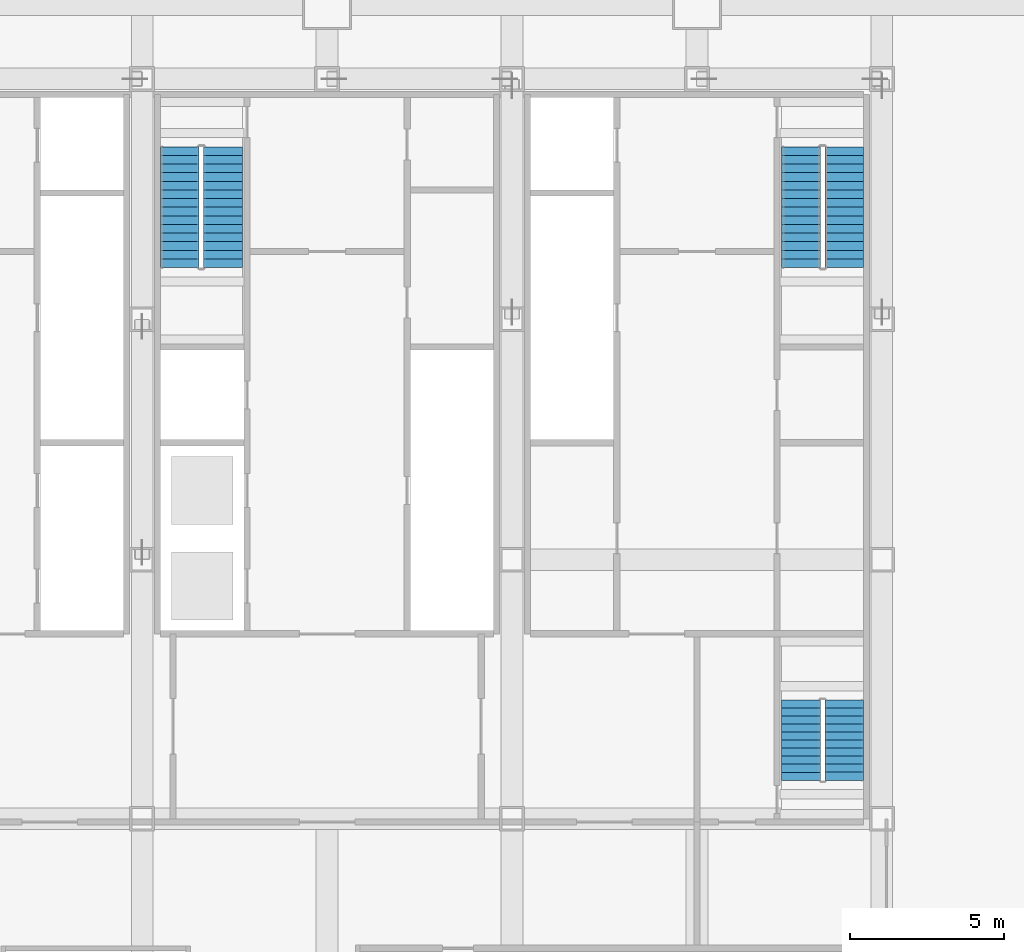
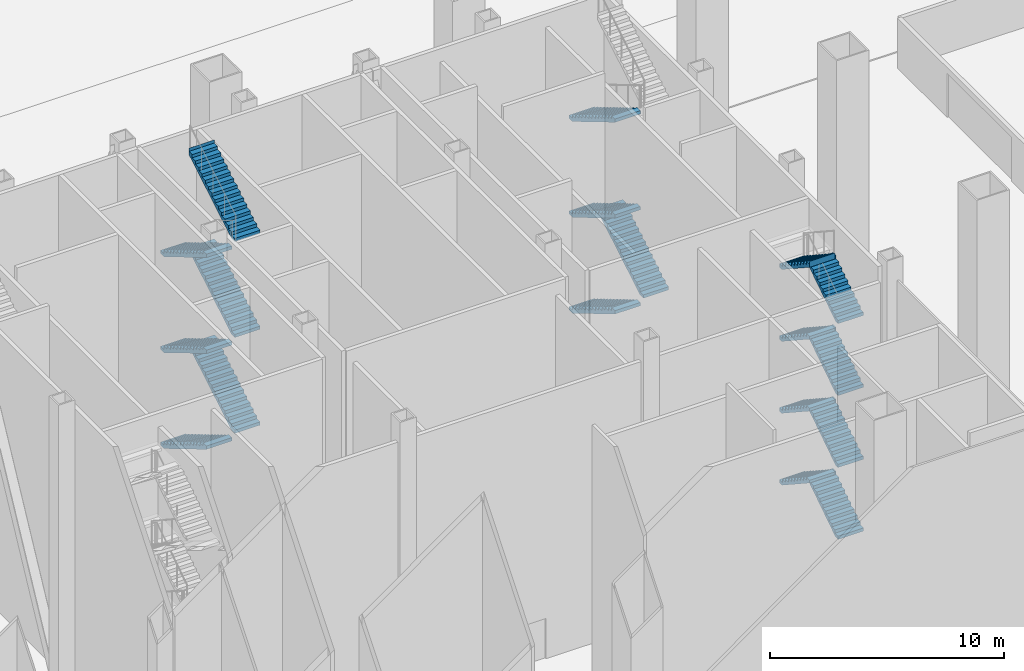
# One storey, part 11 of 22: 18 stair flights, 3 elements without a shape of their own.
"""IFC4 building model written with IfcOpenShell, lengths in metres."""

import ifcopenshell
import ifcopenshell.guid

model = None  # the IFC model being written
_history = None  # IfcOwnerHistory: only IFC2X3 demands one
_inside = {}  # id of a spatial element -> (the spatial element, [elements in it])
_under = {}  # id of a project, library or spatial element -> (it, [spatial elements below it])
_declared = {}  # id of a project -> (the project, [libraries it declares])
_typed = {}  # id of a type object -> (the type object, [elements of that type])
_made_of = {}  # id of a material, layer set ... -> (it, [elements and type objects made of it])


def new_model(schema):
    """Start an empty IFC model of exactly this schema.

    Asked for "IFC4X3", IfcOpenShell would pick the latest addendum, in which some entities
    have other attributes; the version numbers below select the first issue.
    IFC2X3 requires an IfcOwnerHistory on every rooted entity: one is made here for all.
    """
    global model, _history
    if schema == "IFC4X3":
        model = ifcopenshell.file(schema_version=(4, 3, 0, 0))
    else:
        model = ifcopenshell.file(schema=schema)
    _inside.clear()
    _under.clear()
    _declared.clear()
    _typed.clear()
    _made_of.clear()
    _history = None
    if model.schema == "IFC2X3":
        org = make("IfcOrganization", Name="unknown")
        user = make(
            "IfcPersonAndOrganization",
            ThePerson=make("IfcPerson", FamilyName="unknown"),
            TheOrganization=org,
        )
        app = make(
            "IfcApplication",
            ApplicationDeveloper=org,
            Version="unknown",
            ApplicationFullName="unknown",
            ApplicationIdentifier="unknown",
        )
        _history = make(
            "IfcOwnerHistory",
            OwningUser=user,
            OwningApplication=app,
            ChangeAction="ADDED",
            CreationDate=0,
        )
    return model


def make(cls, **values):
    """One entity of the class cls with the attributes given. An attribute that is None is left unset."""
    return model.create_entity(
        cls, **{name: value for name, value in values.items() if value is not None}
    )


def rooted(cls, **values):
    """An entity with a GlobalId (a new one), such as an element, a storey or a relation."""
    return make(cls, GlobalId=ifcopenshell.guid.new(), OwnerHistory=_history, **values)


def si_unit(unit_type, name, prefix=None):
    """IfcSIUnit, for example si_unit("LENGTHUNIT", "METRE", prefix="MILLI")."""
    return make("IfcSIUnit", UnitType=unit_type, Prefix=prefix, Name=name)


def assignment(units):
    """IfcUnitAssignment: the units of a project."""
    return None if units is None else make("IfcUnitAssignment", Units=units)


def point(xyz):
    """IfcCartesianPoint."""
    return None if xyz is None else make("IfcCartesianPoint", Coordinates=xyz)


def direction(xyz):
    """IfcDirection."""
    return None if xyz is None else make("IfcDirection", DirectionRatios=xyz)


def frame(location, z_axis=None, x_axis=None):
    """IfcAxis2Placement3D, a coordinate frame: its origin and axes. An axis left out is left unset."""
    return make(
        "IfcAxis2Placement3D",
        Location=point(location),
        Axis=direction(z_axis),
        RefDirection=direction(x_axis),
    )


def origin():
    """The frame at (0, 0, 0) with its axes left unset."""
    return frame((0.0, 0.0, 0.0))


def place(relative_to, where):
    """IfcLocalPlacement: puts the frame where relative to a parent placement (None: the world)."""
    return make(
        "IfcLocalPlacement", PlacementRelTo=relative_to, RelativePlacement=where
    )


def context(
    kind, dimensions, precision=None, world=None, true_north=None, identifier=None
):
    """IfcGeometricRepresentationContext, for example the 3D "Model" context."""
    return make(
        "IfcGeometricRepresentationContext",
        ContextIdentifier=identifier,
        ContextType=kind,
        CoordinateSpaceDimension=dimensions,
        Precision=precision,
        WorldCoordinateSystem=world,
        TrueNorth=true_north,
    )


def subcontext(parent, identifier, kind, view, scale=None):
    """IfcGeometricRepresentationSubContext, for example "Body" below "Model"."""
    return make(
        "IfcGeometricRepresentationSubContext",
        ContextIdentifier=identifier,
        ContextType=kind,
        ParentContext=parent,
        TargetScale=scale,
        TargetView=view,
    )


def project(units=None, contexts=None):
    """IfcProject with its units and contexts."""
    return rooted(
        "IfcProject",
        Name="project",
        RepresentationContexts=contexts,
        UnitsInContext=assignment(units),
    )


def spatial(cls, under=None, at=None, **own):
    """A site, building, storey or space (cls), placed at a placement, below another one or the project."""
    s = rooted(cls, ObjectPlacement=at, **own)
    if under is not None:
        _under.setdefault(under.id(), (under, []))[1].append(s)
    return s


def polyline(points):
    """IfcPolyline through the points."""
    return make("IfcPolyline", Points=[point(p) for p in points])


def outline(outer, holes=None, kind="AREA"):
    """IfcArbitraryClosedProfileDef: a profile drawn as a closed curve; with holes, ...WithVoids."""
    if holes is None:
        return make("IfcArbitraryClosedProfileDef", ProfileType=kind, OuterCurve=outer)
    return make(
        "IfcArbitraryProfileDefWithVoids",
        ProfileType=kind,
        OuterCurve=outer,
        InnerCurves=holes,
    )


def extrude(swept, where, along, depth):
    """IfcExtrudedAreaSolid: the profile swept, set in the frame where, extruded along a direction by depth."""
    return make(
        "IfcExtrudedAreaSolid",
        SweptArea=swept,
        Position=where,
        ExtrudedDirection=direction(along),
        Depth=depth,
    )


def shape(context_of_items, identifier, shape_type, items):
    """IfcShapeRepresentation: the items that make up one representation, for example the "Body"."""
    return make(
        "IfcShapeRepresentation",
        ContextOfItems=context_of_items,
        RepresentationIdentifier=identifier,
        RepresentationType=shape_type,
        Items=items,
    )


def material(Name=None, Category=None):
    """IfcMaterial."""
    return make("IfcMaterial", Name=Name, Category=Category)


def made_of(thing, what):
    """Note that an element or type object is made of a material, layer set ...; save() writes the relation."""
    if what is not None:
        _made_of.setdefault(what.id(), (what, []))[1].append(thing)
    return thing


def type_object(cls, material=None, **own):
    """A type object (cls), such as IfcWallType, which elements share."""
    return made_of(rooted(cls, **own), material)


def element(
    cls,
    number,
    at=None,
    inside=None,
    cuts=None,
    type_object=None,
    material=None,
    context=None,
    identifier="Body",
    shape_type=None,
    held_by="IfcProductDefinitionShape",
    body=None,
    shapes=None,
    **own,
):
    """One element of the class cls, such as IfcWall. Its Tag is "e" and its number.

    at: its placement. inside: the storey or other place that contains it. cuts: it is an
    opening in that element (IfcRelVoidsElement). A single representation is given by context,
    identifier, shape_type and body (its items); several are given by shapes. held_by: the class
    of the entity that holds the representations. save() writes the other relations.
    """
    e = rooted(cls, Tag="e%d" % number, ObjectPlacement=at, **own)
    if body is not None:
        shapes = [shape(context, identifier, shape_type, body)]
    if shapes is not None:
        e.Representation = make(held_by, Representations=shapes)
    if inside is not None:
        _inside.setdefault(inside.id(), (inside, []))[1].append(e)
    if cuts is not None:
        rooted(
            "IfcRelVoidsElement", RelatingBuildingElement=cuts, RelatedOpeningElement=e
        )
    if type_object is not None:
        _typed.setdefault(type_object.id(), (type_object, []))[1].append(e)
    return made_of(e, material)


def aggregate(whole, parts):
    """IfcRelAggregates: a whole, such as a stair, and the parts it consists of."""
    return rooted("IfcRelAggregates", RelatingObject=whole, RelatedObjects=parts)


def save(model, path):
    """Write the relations noted so far, then the file.

    IfcRelAggregates (storeys below a building ...), IfcRelContainedInSpatialStructure (elements
    in a storey), IfcRelDefinesByType, IfcRelAssociatesMaterial and IfcRelDeclares: one each for
    every whole, place, type object, material and project.
    """
    for whole, parts in _under.values():
        aggregate(whole, parts)
    for where, things in _inside.values():
        rooted(
            "IfcRelContainedInSpatialStructure",
            RelatedElements=things,
            RelatingStructure=where,
        )
    for kind, things in _typed.values():
        rooted("IfcRelDefinesByType", RelatedObjects=things, RelatingType=kind)
    for what, things in _made_of.values():
        rooted("IfcRelAssociatesMaterial", RelatedObjects=things, RelatingMaterial=what)
    for by, libraries in _declared.values():
        rooted("IfcRelDeclares", RelatingContext=by, RelatedDefinitions=libraries)
    model.write(path)


model = new_model("IFC4")

# Units and contexts
model_context = context("Model", 3, precision=1e-05, world=origin(), true_north=direction((0.0, 1.0)))
body_context = subcontext(model_context, "Body", "Model", "MODEL_VIEW")
ifc_project = project(units=[si_unit("LENGTHUNIT", "METRE"), si_unit("AREAUNIT", "SQUARE_METRE"), si_unit("VOLUMEUNIT", "CUBIC_METRE"), si_unit("PLANEANGLEUNIT", "RADIAN"), si_unit("MASSUNIT", "GRAM", prefix="KILO")], contexts=[model_context])

# Site, building, storey
site_placement = place(None, origin())
site = spatial("IfcSite", under=ifc_project, at=site_placement, CompositionType="ELEMENT")
building_placement = place(site_placement, origin())
building = spatial("IfcBuilding", under=site, at=building_placement, Name="Sorahane Residences", CompositionType="ELEMENT")
storey_placement = place(building_placement, origin())
storey = spatial("IfcBuildingStorey", under=building, at=storey_placement, Name="L00", CompositionType="ELEMENT", Elevation=0.0)

# Stair, stair flights
ifc_material_1 = material(Name="Concrete C40", Category="concrete")
stair_type = type_object("IfcStairType", Name="Dog-leg stair 1250 Concrete C40", PredefinedType="HALF_TURN_STAIR", material=ifc_material_1)
stair_1_placement = place(storey_placement, origin())
stair_1 = element("IfcStair", 1, at=stair_1_placement, inside=storey, type_object=stair_type, Name="L00 Stair S2", PredefinedType="HALF_TURN_STAIR")
ifc_material_2 = material(Name="Concrete C40", Category="concrete")
stair_flight_type = type_object("IfcStairFlightType", Name="Stair flight 1250 Concrete C40", PredefinedType="STRAIGHT", material=ifc_material_2)
stair_flight_1_placement = place(storey_placement, frame((39.375, 43.39990234375, 0.0), z_axis=(0.0, 0.0, 1.0), x_axis=(0.0, -1.0, 0.0)))
stair_flight_1 = element("IfcStairFlight", 2, at=stair_flight_1_placement, type_object=stair_flight_type, Name="S2 flight 1", NumberOfRisers=15, NumberOfTreads=14, PredefinedType="STRAIGHT", RiserHeight=0.166666667, TreadLength=0.28, context=body_context, shape_type="SweptSolid", body=[
    extrude(outline(polyline([(-0.00146484375, 0.0), (-0.00146484375, 0.166748046875), (0.0, 0.166748046875), (0.280029296875, 0.166748046875), (0.280029296875, 0.333251953125), (0.56005859375, 0.333251953125), (0.56005859375, 0.5), (0.840087890625, 0.5), (0.840087890625, 0.666748046875), (1.1201171875, 0.666748046875), (1.1201171875, 0.833251953125), (1.39990234375, 0.833251953125), (1.39990234375, 1.0), (1.679931640625, 1.0), (1.679931640625, 1.166748046875), (1.9599609375, 1.166748046875), (1.9599609375, 1.333251953125), (2.239990234375, 1.333251953125), (2.239990234375, 1.5), (2.52001953125, 1.5), (2.52001953125, 1.666748046875), (2.800048828125, 1.666748046875), (2.800048828125, 1.833251953125), (3.080078125, 1.833251953125), (3.080078125, 2.0), (3.360107421875, 2.0), (3.360107421875, 2.166748046875), (3.639892578125, 2.166748046875), (3.639892578125, 2.333251953125), (3.919921875, 2.333251953125), (3.919921875, 2.5), (3.919921875, 2.158935546875), (3.693359375, 2.02392578125), (3.466552734375, 1.888916015625), (3.239990234375, 1.754150390625), (3.01318359375, 1.619140625), (2.78662109375, 1.484130859375), (2.559814453125, 1.349365234375), (2.333251953125, 1.21435546875), (2.1064453125, 1.079345703125), (1.8798828125, 0.944580078125), (1.653076171875, 0.8095703125), (1.426513671875, 0.674560546875), (1.19970703125, 0.539794921875), (0.97314453125, 0.40478515625), (0.746337890625, 0.269775390625), (0.519775390625, 0.135009765625), (0.29296875, 0.0), (-0.00146484375, 0.0)])), frame((0.0, 0.625, 0.0), z_axis=(0.0, -1.0, 0.0), x_axis=(1.0, 0.0, 0.0)), (0.0, 0.0, 1.0), 1.25),
])
stair_flight_2_placement = place(storey_placement, frame((40.77490234375, 39.47998046875, 2.5), z_axis=(0.0, 0.0, 1.0), x_axis=(0.0, 1.0, 0.0)))
stair_flight_2 = element("IfcStairFlight", 3, at=stair_flight_2_placement, type_object=stair_flight_type, Name="S2 flight 2", NumberOfRisers=15, NumberOfTreads=14, PredefinedType="STRAIGHT", RiserHeight=0.166666667, TreadLength=0.28, context=body_context, shape_type="SweptSolid", body=[
    extrude(outline(polyline([(0.0, 0.0), (0.0, 0.166748046875), (0.280029296875, 0.166748046875), (0.280029296875, 0.333251953125), (0.56005859375, 0.333251953125), (0.56005859375, 0.5), (0.840087890625, 0.5), (0.840087890625, 0.666748046875), (1.1201171875, 0.666748046875), (1.1201171875, 0.833251953125), (1.39990234375, 0.833251953125), (1.39990234375, 1.0), (1.679931640625, 1.0), (1.679931640625, 1.166748046875), (1.9599609375, 1.166748046875), (1.9599609375, 1.333251953125), (2.239990234375, 1.333251953125), (2.239990234375, 1.5), (2.52001953125, 1.5), (2.52001953125, 1.666748046875), (2.800048828125, 1.666748046875), (2.800048828125, 1.833251953125), (3.080078125, 1.833251953125), (3.080078125, 2.0), (3.360107421875, 2.0), (3.360107421875, 2.166748046875), (3.639892578125, 2.166748046875), (3.639892578125, 2.333251953125), (3.919921875, 2.333251953125), (3.919921875, 2.5), (3.919921875, 2.158935546875), (3.67822265625, 2.014892578125), (3.4365234375, 1.87109375), (3.194580078125, 1.72705078125), (2.952880859375, 1.583251953125), (2.7109375, 1.439208984375), (2.46923828125, 1.29541015625), (2.2275390625, 1.1513671875), (1.985595703125, 1.007568359375), (1.743896484375, 0.863525390625), (1.501953125, 0.7197265625), (1.26025390625, 0.57568359375), (1.0185546875, 0.431884765625), (0.776611328125, 0.287841796875), (0.534912109375, 0.14404296875), (0.29296875, 0.0), (0.0, 0.0)])), frame((0.0, 0.625, 0.0), z_axis=(0.0, -1.0, 0.0), x_axis=(1.0, 0.0, 0.0)), (0.0, 0.0, 1.0), 1.25),
])
stair_flight_3_placement = place(storey_placement, frame((39.375, 43.39990234375, 5.0), z_axis=(0.0, 0.0, 1.0), x_axis=(0.0, -1.0, 0.0)))
stair_flight_3 = element("IfcStairFlight", 4, at=stair_flight_3_placement, type_object=stair_flight_type, Name="S2 flight 3", NumberOfRisers=15, NumberOfTreads=14, PredefinedType="STRAIGHT", RiserHeight=0.166666667, TreadLength=0.28, context=body_context, shape_type="SweptSolid", body=[
    extrude(outline(polyline([(0.0, 0.0), (0.0, 0.166748046875), (0.280029296875, 0.166748046875), (0.280029296875, 0.333251953125), (0.56005859375, 0.333251953125), (0.56005859375, 0.5), (0.840087890625, 0.5), (0.840087890625, 0.666748046875), (1.1201171875, 0.666748046875), (1.1201171875, 0.833251953125), (1.39990234375, 0.833251953125), (1.39990234375, 1.0), (1.679931640625, 1.0), (1.679931640625, 1.166748046875), (1.9599609375, 1.166748046875), (1.9599609375, 1.333251953125), (2.239990234375, 1.333251953125), (2.239990234375, 1.5), (2.52001953125, 1.5), (2.52001953125, 1.666748046875), (2.800048828125, 1.666748046875), (2.800048828125, 1.833251953125), (3.080078125, 1.833251953125), (3.080078125, 2.0), (3.360107421875, 2.0), (3.360107421875, 2.166748046875), (3.639892578125, 2.166748046875), (3.639892578125, 2.333251953125), (3.919921875, 2.333251953125), (3.919921875, 2.5), (3.919921875, 2.158935546875), (3.67822265625, 2.014892578125), (3.4365234375, 1.87109375), (3.194580078125, 1.72705078125), (2.952880859375, 1.583251953125), (2.7109375, 1.439208984375), (2.46923828125, 1.29541015625), (2.2275390625, 1.1513671875), (1.985595703125, 1.007568359375), (1.743896484375, 0.863525390625), (1.501953125, 0.7197265625), (1.26025390625, 0.57568359375), (1.0185546875, 0.431884765625), (0.776611328125, 0.287841796875), (0.534912109375, 0.14404296875), (0.29296875, 0.0), (0.0, 0.0)])), frame((0.0, 0.625, 0.0), z_axis=(0.0, -1.0, 0.0), x_axis=(1.0, 0.0, 0.0)), (0.0, 0.0, 1.0), 1.25),
])
stair_flight_4_placement = place(storey_placement, frame((39.375, 43.39990234375, 10.0), z_axis=(0.0, 0.0, 1.0), x_axis=(0.0, -1.0, 0.0)))
stair_flight_4 = element("IfcStairFlight", 5, at=stair_flight_4_placement, type_object=stair_flight_type, Name="S2 flight 5", NumberOfRisers=15, NumberOfTreads=14, PredefinedType="STRAIGHT", RiserHeight=0.166666667, TreadLength=0.28, context=body_context, shape_type="SweptSolid", body=[
    extrude(outline(polyline([(0.0, 0.0), (0.0, 0.166748046875), (0.280029296875, 0.166748046875), (0.280029296875, 0.333251953125), (0.56005859375, 0.333251953125), (0.56005859375, 0.5), (0.840087890625, 0.5), (0.840087890625, 0.666748046875), (1.1201171875, 0.666748046875), (1.1201171875, 0.833251953125), (1.39990234375, 0.833251953125), (1.39990234375, 1.0), (1.679931640625, 1.0), (1.679931640625, 1.166748046875), (1.9599609375, 1.166748046875), (1.9599609375, 1.333251953125), (2.239990234375, 1.333251953125), (2.239990234375, 1.5), (2.52001953125, 1.5), (2.52001953125, 1.666748046875), (2.800048828125, 1.666748046875), (2.800048828125, 1.833251953125), (3.080078125, 1.833251953125), (3.080078125, 2.0), (3.360107421875, 2.0), (3.360107421875, 2.166748046875), (3.639892578125, 2.166748046875), (3.639892578125, 2.333251953125), (3.919921875, 2.333251953125), (3.919921875, 2.5), (3.919921875, 2.158935546875), (3.67822265625, 2.014892578125), (3.4365234375, 1.87109375), (3.194580078125, 1.72705078125), (2.952880859375, 1.583251953125), (2.7109375, 1.439208984375), (2.46923828125, 1.29541015625), (2.2275390625, 1.1513671875), (1.985595703125, 1.007568359375), (1.743896484375, 0.863525390625), (1.501953125, 0.7197265625), (1.26025390625, 0.57568359375), (1.0185546875, 0.431884765625), (0.776611328125, 0.287841796875), (0.534912109375, 0.14404296875), (0.29296875, 0.0), (0.0, 0.0)])), frame((0.0, 0.625, 0.0), z_axis=(0.0, -1.0, 0.0), x_axis=(1.0, 0.0, 0.0)), (0.0, 0.0, 1.0), 1.25),
])
aggregate(stair_1, [stair_flight_1, stair_flight_2, stair_flight_3, stair_flight_4])

stair_2_placement = place(storey_placement, origin())
stair_2 = element("IfcStair", 6, at=stair_2_placement, inside=storey, type_object=stair_type, Name="L00 Stair S3", PredefinedType="HALF_TURN_STAIR")
stair_flight_5_placement = place(storey_placement, frame((19.22509765625, 43.39990234375, 0.0), z_axis=(0.0, 0.0, 1.0), x_axis=(0.0, -1.0, 0.0)))
stair_flight_5 = element("IfcStairFlight", 7, at=stair_flight_5_placement, type_object=stair_flight_type, Name="S3 flight 1", NumberOfRisers=15, NumberOfTreads=14, PredefinedType="STRAIGHT", RiserHeight=0.166666667, TreadLength=0.28, context=body_context, shape_type="SweptSolid", body=[
    extrude(outline(polyline([(-0.00146484375, 0.0), (-0.00146484375, 0.166748046875), (0.0, 0.166748046875), (0.280029296875, 0.166748046875), (0.280029296875, 0.333251953125), (0.56005859375, 0.333251953125), (0.56005859375, 0.5), (0.840087890625, 0.5), (0.840087890625, 0.666748046875), (1.1201171875, 0.666748046875), (1.1201171875, 0.833251953125), (1.39990234375, 0.833251953125), (1.39990234375, 1.0), (1.679931640625, 1.0), (1.679931640625, 1.166748046875), (1.9599609375, 1.166748046875), (1.9599609375, 1.333251953125), (2.239990234375, 1.333251953125), (2.239990234375, 1.5), (2.52001953125, 1.5), (2.52001953125, 1.666748046875), (2.800048828125, 1.666748046875), (2.800048828125, 1.833251953125), (3.080078125, 1.833251953125), (3.080078125, 2.0), (3.360107421875, 2.0), (3.360107421875, 2.166748046875), (3.639892578125, 2.166748046875), (3.639892578125, 2.333251953125), (3.919921875, 2.333251953125), (3.919921875, 2.5), (3.919921875, 2.158935546875), (3.693359375, 2.02392578125), (3.466552734375, 1.888916015625), (3.239990234375, 1.754150390625), (3.01318359375, 1.619140625), (2.78662109375, 1.484130859375), (2.559814453125, 1.349365234375), (2.333251953125, 1.21435546875), (2.1064453125, 1.079345703125), (1.8798828125, 0.944580078125), (1.653076171875, 0.8095703125), (1.426513671875, 0.674560546875), (1.19970703125, 0.539794921875), (0.97314453125, 0.40478515625), (0.746337890625, 0.269775390625), (0.519775390625, 0.135009765625), (0.29296875, 0.0), (-0.00146484375, 0.0)])), frame((0.0, 0.625, 0.0), z_axis=(0.0, -1.0, 0.0), x_axis=(1.0, 0.0, 0.0)), (0.0, 0.0, 1.0), 1.25),
])
stair_flight_6_placement = place(storey_placement, frame((20.625, 39.47998046875, 2.5), z_axis=(0.0, 0.0, 1.0), x_axis=(0.0, 1.0, 0.0)))
stair_flight_6 = element("IfcStairFlight", 8, at=stair_flight_6_placement, type_object=stair_flight_type, Name="S3 flight 2", NumberOfRisers=15, NumberOfTreads=14, PredefinedType="STRAIGHT", RiserHeight=0.166666667, TreadLength=0.28, context=body_context, shape_type="SweptSolid", body=[
    extrude(outline(polyline([(0.0, 0.0), (0.0, 0.166748046875), (0.280029296875, 0.166748046875), (0.280029296875, 0.333251953125), (0.56005859375, 0.333251953125), (0.56005859375, 0.5), (0.840087890625, 0.5), (0.840087890625, 0.666748046875), (1.1201171875, 0.666748046875), (1.1201171875, 0.833251953125), (1.39990234375, 0.833251953125), (1.39990234375, 1.0), (1.679931640625, 1.0), (1.679931640625, 1.166748046875), (1.9599609375, 1.166748046875), (1.9599609375, 1.333251953125), (2.239990234375, 1.333251953125), (2.239990234375, 1.5), (2.52001953125, 1.5), (2.52001953125, 1.666748046875), (2.800048828125, 1.666748046875), (2.800048828125, 1.833251953125), (3.080078125, 1.833251953125), (3.080078125, 2.0), (3.360107421875, 2.0), (3.360107421875, 2.166748046875), (3.639892578125, 2.166748046875), (3.639892578125, 2.333251953125), (3.919921875, 2.333251953125), (3.919921875, 2.5), (3.919921875, 2.158935546875), (3.67822265625, 2.014892578125), (3.4365234375, 1.87109375), (3.194580078125, 1.72705078125), (2.952880859375, 1.583251953125), (2.7109375, 1.439208984375), (2.46923828125, 1.29541015625), (2.2275390625, 1.1513671875), (1.985595703125, 1.007568359375), (1.743896484375, 0.863525390625), (1.501953125, 0.7197265625), (1.26025390625, 0.57568359375), (1.0185546875, 0.431884765625), (0.776611328125, 0.287841796875), (0.534912109375, 0.14404296875), (0.29296875, 0.0), (0.0, 0.0)])), frame((0.0, 0.625, 0.0), z_axis=(0.0, -1.0, 0.0), x_axis=(1.0, 0.0, 0.0)), (0.0, 0.0, 1.0), 1.25),
])
stair_flight_7_placement = place(storey_placement, frame((19.22509765625, 43.39990234375, 5.0), z_axis=(0.0, 0.0, 1.0), x_axis=(0.0, -1.0, 0.0)))
stair_flight_7 = element("IfcStairFlight", 9, at=stair_flight_7_placement, type_object=stair_flight_type, Name="S3 flight 3", NumberOfRisers=15, NumberOfTreads=14, PredefinedType="STRAIGHT", RiserHeight=0.166666667, TreadLength=0.28, context=body_context, shape_type="SweptSolid", body=[
    extrude(outline(polyline([(0.0, 0.0), (0.0, 0.166748046875), (0.280029296875, 0.166748046875), (0.280029296875, 0.333251953125), (0.56005859375, 0.333251953125), (0.56005859375, 0.5), (0.840087890625, 0.5), (0.840087890625, 0.666748046875), (1.1201171875, 0.666748046875), (1.1201171875, 0.833251953125), (1.39990234375, 0.833251953125), (1.39990234375, 1.0), (1.679931640625, 1.0), (1.679931640625, 1.166748046875), (1.9599609375, 1.166748046875), (1.9599609375, 1.333251953125), (2.239990234375, 1.333251953125), (2.239990234375, 1.5), (2.52001953125, 1.5), (2.52001953125, 1.666748046875), (2.800048828125, 1.666748046875), (2.800048828125, 1.833251953125), (3.080078125, 1.833251953125), (3.080078125, 2.0), (3.360107421875, 2.0), (3.360107421875, 2.166748046875), (3.639892578125, 2.166748046875), (3.639892578125, 2.333251953125), (3.919921875, 2.333251953125), (3.919921875, 2.5), (3.919921875, 2.158935546875), (3.67822265625, 2.014892578125), (3.4365234375, 1.87109375), (3.194580078125, 1.72705078125), (2.952880859375, 1.583251953125), (2.7109375, 1.439208984375), (2.46923828125, 1.29541015625), (2.2275390625, 1.1513671875), (1.985595703125, 1.007568359375), (1.743896484375, 0.863525390625), (1.501953125, 0.7197265625), (1.26025390625, 0.57568359375), (1.0185546875, 0.431884765625), (0.776611328125, 0.287841796875), (0.534912109375, 0.14404296875), (0.29296875, 0.0), (0.0, 0.0)])), frame((0.0, 0.625, 0.0), z_axis=(0.0, -1.0, 0.0), x_axis=(1.0, 0.0, 0.0)), (0.0, 0.0, 1.0), 1.25),
])
stair_flight_8_placement = place(storey_placement, frame((20.625, 39.47998046875, 7.5), z_axis=(0.0, 0.0, 1.0), x_axis=(0.0, 1.0, 0.0)))
stair_flight_8 = element("IfcStairFlight", 10, at=stair_flight_8_placement, type_object=stair_flight_type, Name="S3 flight 4", NumberOfRisers=15, NumberOfTreads=14, PredefinedType="STRAIGHT", RiserHeight=0.166666667, TreadLength=0.28, context=body_context, shape_type="SweptSolid", body=[
    extrude(outline(polyline([(0.0, 0.0), (0.0, 0.166748046875), (0.280029296875, 0.166748046875), (0.280029296875, 0.333251953125), (0.56005859375, 0.333251953125), (0.56005859375, 0.5), (0.840087890625, 0.5), (0.840087890625, 0.666748046875), (1.1201171875, 0.666748046875), (1.1201171875, 0.833251953125), (1.39990234375, 0.833251953125), (1.39990234375, 1.0), (1.679931640625, 1.0), (1.679931640625, 1.166748046875), (1.9599609375, 1.166748046875), (1.9599609375, 1.333251953125), (2.239990234375, 1.333251953125), (2.239990234375, 1.5), (2.52001953125, 1.5), (2.52001953125, 1.666748046875), (2.800048828125, 1.666748046875), (2.800048828125, 1.833251953125), (3.080078125, 1.833251953125), (3.080078125, 2.0), (3.360107421875, 2.0), (3.360107421875, 2.166748046875), (3.639892578125, 2.166748046875), (3.639892578125, 2.333251953125), (3.919921875, 2.333251953125), (3.919921875, 2.5), (3.919921875, 2.158935546875), (3.67822265625, 2.014892578125), (3.4365234375, 1.87109375), (3.194580078125, 1.72705078125), (2.952880859375, 1.583251953125), (2.7109375, 1.439208984375), (2.46923828125, 1.29541015625), (2.2275390625, 1.1513671875), (1.985595703125, 1.007568359375), (1.743896484375, 0.863525390625), (1.501953125, 0.7197265625), (1.26025390625, 0.57568359375), (1.0185546875, 0.431884765625), (0.776611328125, 0.287841796875), (0.534912109375, 0.14404296875), (0.29296875, 0.0), (0.0, 0.0)])), frame((0.0, 0.625, 0.0), z_axis=(0.0, -1.0, 0.0), x_axis=(1.0, 0.0, 0.0)), (0.0, 0.0, 1.0), 1.25),
])
stair_flight_9_placement = place(storey_placement, frame((19.22509765625, 43.39990234375, 10.0), z_axis=(0.0, 0.0, 1.0), x_axis=(0.0, -1.0, 0.0)))
stair_flight_9 = element("IfcStairFlight", 11, at=stair_flight_9_placement, type_object=stair_flight_type, Name="S3 flight 5", NumberOfRisers=15, NumberOfTreads=14, PredefinedType="STRAIGHT", RiserHeight=0.166666667, TreadLength=0.28, context=body_context, shape_type="SweptSolid", body=[
    extrude(outline(polyline([(0.0, 0.0), (0.0, 0.166748046875), (0.280029296875, 0.166748046875), (0.280029296875, 0.333251953125), (0.56005859375, 0.333251953125), (0.56005859375, 0.5), (0.840087890625, 0.5), (0.840087890625, 0.666748046875), (1.1201171875, 0.666748046875), (1.1201171875, 0.833251953125), (1.39990234375, 0.833251953125), (1.39990234375, 1.0), (1.679931640625, 1.0), (1.679931640625, 1.166748046875), (1.9599609375, 1.166748046875), (1.9599609375, 1.333251953125), (2.239990234375, 1.333251953125), (2.239990234375, 1.5), (2.52001953125, 1.5), (2.52001953125, 1.666748046875), (2.800048828125, 1.666748046875), (2.800048828125, 1.833251953125), (3.080078125, 1.833251953125), (3.080078125, 2.0), (3.360107421875, 2.0), (3.360107421875, 2.166748046875), (3.639892578125, 2.166748046875), (3.639892578125, 2.333251953125), (3.919921875, 2.333251953125), (3.919921875, 2.5), (3.919921875, 2.158935546875), (3.67822265625, 2.014892578125), (3.4365234375, 1.87109375), (3.194580078125, 1.72705078125), (2.952880859375, 1.583251953125), (2.7109375, 1.439208984375), (2.46923828125, 1.29541015625), (2.2275390625, 1.1513671875), (1.985595703125, 1.007568359375), (1.743896484375, 0.863525390625), (1.501953125, 0.7197265625), (1.26025390625, 0.57568359375), (1.0185546875, 0.431884765625), (0.776611328125, 0.287841796875), (0.534912109375, 0.14404296875), (0.29296875, 0.0), (0.0, 0.0)])), frame((0.0, 0.625, 0.0), z_axis=(0.0, -1.0, 0.0), x_axis=(1.0, 0.0, 0.0)), (0.0, 0.0, 1.0), 1.25),
])
stair_flight_10_placement = place(storey_placement, frame((20.625, 39.47998046875, 12.5), z_axis=(0.0, 0.0, 1.0), x_axis=(0.0, 1.0, 0.0)))
stair_flight_10 = element("IfcStairFlight", 12, at=stair_flight_10_placement, type_object=stair_flight_type, Name="S3 flight 6", NumberOfRisers=15, NumberOfTreads=14, PredefinedType="STRAIGHT", RiserHeight=0.166666667, TreadLength=0.28, context=body_context, shape_type="SweptSolid", body=[
    extrude(outline(polyline([(0.0, 0.0), (0.0, 0.166748046875), (0.280029296875, 0.166748046875), (0.280029296875, 0.333251953125), (0.56005859375, 0.333251953125), (0.56005859375, 0.5), (0.840087890625, 0.5), (0.840087890625, 0.666748046875), (1.1201171875, 0.666748046875), (1.1201171875, 0.833251953125), (1.39990234375, 0.833251953125), (1.39990234375, 1.0), (1.679931640625, 1.0), (1.679931640625, 1.166748046875), (1.9599609375, 1.166748046875), (1.9599609375, 1.333251953125), (2.239990234375, 1.333251953125), (2.239990234375, 1.5), (2.52001953125, 1.5), (2.52001953125, 1.666748046875), (2.800048828125, 1.666748046875), (2.800048828125, 1.833251953125), (3.080078125, 1.833251953125), (3.080078125, 2.0), (3.360107421875, 2.0), (3.360107421875, 2.166748046875), (3.639892578125, 2.166748046875), (3.639892578125, 2.333251953125), (3.919921875, 2.333251953125), (3.919921875, 2.5), (3.92138671875, 2.5), (3.92138671875, 2.158935546875), (3.69482421875, 2.02392578125), (3.468017578125, 1.888916015625), (3.2412109375, 1.754150390625), (3.014404296875, 1.619140625), (2.78759765625, 1.484130859375), (2.560791015625, 1.349365234375), (2.333984375, 1.21435546875), (2.107177734375, 1.079345703125), (1.880615234375, 0.944580078125), (1.65380859375, 0.8095703125), (1.427001953125, 0.674560546875), (1.2001953125, 0.539794921875), (0.973388671875, 0.40478515625), (0.74658203125, 0.269775390625), (0.519775390625, 0.135009765625), (0.29296875, 0.0), (0.0, 0.0)])), frame((0.0, 0.625, 0.0), z_axis=(0.0, -1.0, 0.0), x_axis=(1.0, 0.0, 0.0)), (0.0, 0.0, 1.0), 1.25),
])
aggregate(stair_2, [stair_flight_5, stair_flight_6, stair_flight_7, stair_flight_8, stair_flight_9, stair_flight_10])

stair_3_placement = place(storey_placement, origin())
stair_3 = element("IfcStair", 13, at=stair_3_placement, inside=storey, type_object=stair_type, Name="L00 Stair S5", PredefinedType="HALF_TURN_STAIR")
stair_flight_11_placement = place(storey_placement, frame((40.77490234375, 22.85009765625, 0.0), z_axis=(0.0, 0.0, 1.0), x_axis=(0.0, 1.0, 0.0)))
stair_flight_11 = element("IfcStairFlight", 14, at=stair_flight_11_placement, type_object=stair_flight_type, Name="S5 flight 1", NumberOfRisers=11, NumberOfTreads=10, PredefinedType="STRAIGHT", RiserHeight=0.170454545, TreadLength=0.26, context=body_context, shape_type="SweptSolid", body=[
    extrude(outline(polyline([(-0.00146484375, 0.0), (-0.00146484375, 0.17041015625), (0.0, 0.17041015625), (0.260009765625, 0.17041015625), (0.260009765625, 0.3408203125), (0.52001953125, 0.3408203125), (0.52001953125, 0.511474609375), (0.780029296875, 0.511474609375), (0.780029296875, 0.681884765625), (1.0400390625, 0.681884765625), (1.0400390625, 0.852294921875), (1.300048828125, 0.852294921875), (1.300048828125, 1.022705078125), (1.56005859375, 1.022705078125), (1.56005859375, 1.193115234375), (1.820068359375, 1.193115234375), (1.820068359375, 1.363525390625), (2.080078125, 1.363525390625), (2.080078125, 1.5341796875), (2.340087890625, 1.5341796875), (2.340087890625, 1.70458984375), (2.60009765625, 1.70458984375), (2.60009765625, 1.875), (2.60009765625, 1.56103515625), (2.401611328125, 1.430908203125), (2.203125, 1.30078125), (2.0048828125, 1.170654296875), (1.806396484375, 1.04052734375), (1.60791015625, 0.91064453125), (1.409423828125, 0.780517578125), (1.211181640625, 0.650390625), (1.0126953125, 0.520263671875), (0.814208984375, 0.39013671875), (0.615966796875, 0.26025390625), (0.41748046875, 0.130126953125), (0.218994140625, 0.0), (-0.00146484375, 0.0)])), frame((0.0, 0.625, 0.0), z_axis=(0.0, -1.0, 0.0), x_axis=(1.0, 0.0, 0.0)), (0.0, 0.0, 1.0), 1.25),
])
stair_flight_12_placement = place(storey_placement, frame((39.375, 25.449951171875, 1.875), z_axis=(0.0, 0.0, 1.0), x_axis=(0.0, -1.0, 0.0)))
stair_flight_12 = element("IfcStairFlight", 15, at=stair_flight_12_placement, type_object=stair_flight_type, Name="S5 flight 2", NumberOfRisers=11, NumberOfTreads=10, PredefinedType="STRAIGHT", RiserHeight=0.170454545, TreadLength=0.26, context=body_context, shape_type="SweptSolid", body=[
    extrude(outline(polyline([(0.0, 0.0), (0.0, 0.17041015625), (0.260009765625, 0.17041015625), (0.260009765625, 0.3408203125), (0.52001953125, 0.3408203125), (0.52001953125, 0.511474609375), (0.780029296875, 0.511474609375), (0.780029296875, 0.681884765625), (1.0400390625, 0.681884765625), (1.0400390625, 0.852294921875), (1.300048828125, 0.852294921875), (1.300048828125, 1.022705078125), (1.56005859375, 1.022705078125), (1.56005859375, 1.193115234375), (1.820068359375, 1.193115234375), (1.820068359375, 1.363525390625), (2.080078125, 1.363525390625), (2.080078125, 1.5341796875), (2.340087890625, 1.5341796875), (2.340087890625, 1.70458984375), (2.60009765625, 1.70458984375), (2.60009765625, 1.875), (2.60009765625, 1.56103515625), (2.383544921875, 1.4189453125), (2.1669921875, 1.277099609375), (1.95068359375, 1.13525390625), (1.734130859375, 0.993408203125), (1.517822265625, 0.851318359375), (1.30126953125, 0.70947265625), (1.0849609375, 0.567626953125), (0.868408203125, 0.42578125), (0.65185546875, 0.28369140625), (0.435546875, 0.141845703125), (0.218994140625, 0.0), (0.0, 0.0)])), frame((0.0, 0.625, 0.0), z_axis=(0.0, -1.0, 0.0), x_axis=(1.0, 0.0, 0.0)), (0.0, 0.0, 1.0), 1.25),
])
stair_flight_13_placement = place(storey_placement, frame((40.77490234375, 22.85009765625, 3.75), z_axis=(0.0, 0.0, 1.0), x_axis=(0.0, 1.0, 0.0)))
stair_flight_13 = element("IfcStairFlight", 16, at=stair_flight_13_placement, type_object=stair_flight_type, Name="S5 flight 3", NumberOfRisers=11, NumberOfTreads=10, PredefinedType="STRAIGHT", RiserHeight=0.170454545, TreadLength=0.26, context=body_context, shape_type="SweptSolid", body=[
    extrude(outline(polyline([(0.0, 0.0), (0.0, 0.17041015625), (0.260009765625, 0.17041015625), (0.260009765625, 0.3408203125), (0.52001953125, 0.3408203125), (0.52001953125, 0.511474609375), (0.780029296875, 0.511474609375), (0.780029296875, 0.681884765625), (1.0400390625, 0.681884765625), (1.0400390625, 0.852294921875), (1.300048828125, 0.852294921875), (1.300048828125, 1.022705078125), (1.56005859375, 1.022705078125), (1.56005859375, 1.193115234375), (1.820068359375, 1.193115234375), (1.820068359375, 1.363525390625), (2.080078125, 1.363525390625), (2.080078125, 1.5341796875), (2.340087890625, 1.5341796875), (2.340087890625, 1.70458984375), (2.60009765625, 1.70458984375), (2.60009765625, 1.875), (2.60009765625, 1.56103515625), (2.383544921875, 1.4189453125), (2.1669921875, 1.277099609375), (1.95068359375, 1.13525390625), (1.734130859375, 0.993408203125), (1.517822265625, 0.851318359375), (1.30126953125, 0.70947265625), (1.0849609375, 0.567626953125), (0.868408203125, 0.42578125), (0.65185546875, 0.28369140625), (0.435546875, 0.141845703125), (0.218994140625, 0.0), (0.0, 0.0)])), frame((0.0, 0.625, 0.0), z_axis=(0.0, -1.0, 0.0), x_axis=(1.0, 0.0, 0.0)), (0.0, 0.0, 1.0), 1.25),
])
stair_flight_14_placement = place(storey_placement, frame((39.375, 25.449951171875, 5.625), z_axis=(0.0, 0.0, 1.0), x_axis=(0.0, -1.0, 0.0)))
stair_flight_14 = element("IfcStairFlight", 17, at=stair_flight_14_placement, type_object=stair_flight_type, Name="S5 flight 4", NumberOfRisers=11, NumberOfTreads=10, PredefinedType="STRAIGHT", RiserHeight=0.170454545, TreadLength=0.26, context=body_context, shape_type="SweptSolid", body=[
    extrude(outline(polyline([(0.0, 0.0), (0.0, 0.17041015625), (0.260009765625, 0.17041015625), (0.260009765625, 0.3408203125), (0.52001953125, 0.3408203125), (0.52001953125, 0.511474609375), (0.780029296875, 0.511474609375), (0.780029296875, 0.681884765625), (1.0400390625, 0.681884765625), (1.0400390625, 0.852294921875), (1.300048828125, 0.852294921875), (1.300048828125, 1.022705078125), (1.56005859375, 1.022705078125), (1.56005859375, 1.193115234375), (1.820068359375, 1.193115234375), (1.820068359375, 1.363525390625), (2.080078125, 1.363525390625), (2.080078125, 1.5341796875), (2.340087890625, 1.5341796875), (2.340087890625, 1.70458984375), (2.60009765625, 1.70458984375), (2.60009765625, 1.875), (2.60009765625, 1.56103515625), (2.383544921875, 1.4189453125), (2.1669921875, 1.277099609375), (1.95068359375, 1.13525390625), (1.734130859375, 0.993408203125), (1.517822265625, 0.851318359375), (1.30126953125, 0.70947265625), (1.0849609375, 0.567626953125), (0.868408203125, 0.42578125), (0.65185546875, 0.28369140625), (0.435546875, 0.141845703125), (0.218994140625, 0.0), (0.0, 0.0)])), frame((0.0, 0.625, 0.0), z_axis=(0.0, -1.0, 0.0), x_axis=(1.0, 0.0, 0.0)), (0.0, 0.0, 1.0), 1.25),
])
stair_flight_15_placement = place(storey_placement, frame((40.77490234375, 22.85009765625, 7.5), z_axis=(0.0, 0.0, 1.0), x_axis=(0.0, 1.0, 0.0)))
stair_flight_15 = element("IfcStairFlight", 18, at=stair_flight_15_placement, type_object=stair_flight_type, Name="S5 flight 5", NumberOfRisers=11, NumberOfTreads=10, PredefinedType="STRAIGHT", RiserHeight=0.170454545, TreadLength=0.26, context=body_context, shape_type="SweptSolid", body=[
    extrude(outline(polyline([(0.0, 0.0), (0.0, 0.17041015625), (0.260009765625, 0.17041015625), (0.260009765625, 0.3408203125), (0.52001953125, 0.3408203125), (0.52001953125, 0.511474609375), (0.780029296875, 0.511474609375), (0.780029296875, 0.681884765625), (1.0400390625, 0.681884765625), (1.0400390625, 0.852294921875), (1.300048828125, 0.852294921875), (1.300048828125, 1.022705078125), (1.56005859375, 1.022705078125), (1.56005859375, 1.193115234375), (1.820068359375, 1.193115234375), (1.820068359375, 1.363525390625), (2.080078125, 1.363525390625), (2.080078125, 1.5341796875), (2.340087890625, 1.5341796875), (2.340087890625, 1.70458984375), (2.60009765625, 1.70458984375), (2.60009765625, 1.875), (2.60009765625, 1.56103515625), (2.383544921875, 1.4189453125), (2.1669921875, 1.277099609375), (1.95068359375, 1.13525390625), (1.734130859375, 0.993408203125), (1.517822265625, 0.851318359375), (1.30126953125, 0.70947265625), (1.0849609375, 0.567626953125), (0.868408203125, 0.42578125), (0.65185546875, 0.28369140625), (0.435546875, 0.141845703125), (0.218994140625, 0.0), (0.0, 0.0)])), frame((0.0, 0.625, 0.0), z_axis=(0.0, -1.0, 0.0), x_axis=(1.0, 0.0, 0.0)), (0.0, 0.0, 1.0), 1.25),
])
stair_flight_16_placement = place(storey_placement, frame((39.375, 25.449951171875, 9.375), z_axis=(0.0, 0.0, 1.0), x_axis=(0.0, -1.0, 0.0)))
stair_flight_16 = element("IfcStairFlight", 19, at=stair_flight_16_placement, type_object=stair_flight_type, Name="S5 flight 6", NumberOfRisers=11, NumberOfTreads=10, PredefinedType="STRAIGHT", RiserHeight=0.170454545, TreadLength=0.26, context=body_context, shape_type="SweptSolid", body=[
    extrude(outline(polyline([(0.0, 0.0), (0.0, 0.17041015625), (0.260009765625, 0.17041015625), (0.260009765625, 0.3408203125), (0.52001953125, 0.3408203125), (0.52001953125, 0.511474609375), (0.780029296875, 0.511474609375), (0.780029296875, 0.681884765625), (1.0400390625, 0.681884765625), (1.0400390625, 0.852294921875), (1.300048828125, 0.852294921875), (1.300048828125, 1.022705078125), (1.56005859375, 1.022705078125), (1.56005859375, 1.193115234375), (1.820068359375, 1.193115234375), (1.820068359375, 1.363525390625), (2.080078125, 1.363525390625), (2.080078125, 1.5341796875), (2.340087890625, 1.5341796875), (2.340087890625, 1.70458984375), (2.60009765625, 1.70458984375), (2.60009765625, 1.875), (2.60009765625, 1.56103515625), (2.383544921875, 1.4189453125), (2.1669921875, 1.277099609375), (1.95068359375, 1.13525390625), (1.734130859375, 0.993408203125), (1.517822265625, 0.851318359375), (1.30126953125, 0.70947265625), (1.0849609375, 0.567626953125), (0.868408203125, 0.42578125), (0.65185546875, 0.28369140625), (0.435546875, 0.141845703125), (0.218994140625, 0.0), (0.0, 0.0)])), frame((0.0, 0.625, 0.0), z_axis=(0.0, -1.0, 0.0), x_axis=(1.0, 0.0, 0.0)), (0.0, 0.0, 1.0), 1.25),
])
stair_flight_17_placement = place(storey_placement, frame((40.77490234375, 22.85009765625, 11.25), z_axis=(0.0, 0.0, 1.0), x_axis=(0.0, 1.0, 0.0)))
stair_flight_17 = element("IfcStairFlight", 20, at=stair_flight_17_placement, type_object=stair_flight_type, Name="S5 flight 7", NumberOfRisers=11, NumberOfTreads=10, PredefinedType="STRAIGHT", RiserHeight=0.170454545, TreadLength=0.26, context=body_context, shape_type="SweptSolid", body=[
    extrude(outline(polyline([(0.0, 0.0), (0.0, 0.17041015625), (0.260009765625, 0.17041015625), (0.260009765625, 0.3408203125), (0.52001953125, 0.3408203125), (0.52001953125, 0.511474609375), (0.780029296875, 0.511474609375), (0.780029296875, 0.681884765625), (1.0400390625, 0.681884765625), (1.0400390625, 0.852294921875), (1.300048828125, 0.852294921875), (1.300048828125, 1.022705078125), (1.56005859375, 1.022705078125), (1.56005859375, 1.193115234375), (1.820068359375, 1.193115234375), (1.820068359375, 1.363525390625), (2.080078125, 1.363525390625), (2.080078125, 1.5341796875), (2.340087890625, 1.5341796875), (2.340087890625, 1.70458984375), (2.60009765625, 1.70458984375), (2.60009765625, 1.875), (2.60009765625, 1.56103515625), (2.383544921875, 1.4189453125), (2.1669921875, 1.277099609375), (1.95068359375, 1.13525390625), (1.734130859375, 0.993408203125), (1.517822265625, 0.851318359375), (1.30126953125, 0.70947265625), (1.0849609375, 0.567626953125), (0.868408203125, 0.42578125), (0.65185546875, 0.28369140625), (0.435546875, 0.141845703125), (0.218994140625, 0.0), (0.0, 0.0)])), frame((0.0, 0.625, 0.0), z_axis=(0.0, -1.0, 0.0), x_axis=(1.0, 0.0, 0.0)), (0.0, 0.0, 1.0), 1.25),
])
stair_flight_18_placement = place(storey_placement, frame((39.375, 25.449951171875, 13.125), z_axis=(0.0, 0.0, 1.0), x_axis=(0.0, -1.0, 0.0)))
stair_flight_18 = element("IfcStairFlight", 21, at=stair_flight_18_placement, type_object=stair_flight_type, Name="S5 flight 8", NumberOfRisers=11, NumberOfTreads=10, PredefinedType="STRAIGHT", RiserHeight=0.170454545, TreadLength=0.26, context=body_context, shape_type="SweptSolid", body=[
    extrude(outline(polyline([(0.0, 0.0), (0.0, 0.17041015625), (0.260009765625, 0.17041015625), (0.260009765625, 0.3408203125), (0.52001953125, 0.3408203125), (0.52001953125, 0.511474609375), (0.780029296875, 0.511474609375), (0.780029296875, 0.681884765625), (1.0400390625, 0.681884765625), (1.0400390625, 0.852294921875), (1.300048828125, 0.852294921875), (1.300048828125, 1.022705078125), (1.56005859375, 1.022705078125), (1.56005859375, 1.193115234375), (1.820068359375, 1.193115234375), (1.820068359375, 1.363525390625), (2.080078125, 1.363525390625), (2.080078125, 1.5341796875), (2.340087890625, 1.5341796875), (2.340087890625, 1.70458984375), (2.60009765625, 1.70458984375), (2.60009765625, 1.875), (2.6015625, 1.875), (2.6015625, 1.56103515625), (2.403076171875, 1.430908203125), (2.204345703125, 1.30078125), (2.005859375, 1.170654296875), (1.807373046875, 1.04052734375), (1.60888671875, 0.91064453125), (1.410400390625, 0.780517578125), (1.211669921875, 0.650390625), (1.01318359375, 0.520263671875), (0.814697265625, 0.39013671875), (0.6162109375, 0.26025390625), (0.417724609375, 0.130126953125), (0.218994140625, 0.0), (0.0, 0.0)])), frame((0.0, 0.625, 0.0), z_axis=(0.0, -1.0, 0.0), x_axis=(1.0, 0.0, 0.0)), (0.0, 0.0, 1.0), 1.25),
])
aggregate(stair_3, [stair_flight_11, stair_flight_12, stair_flight_13, stair_flight_14, stair_flight_15, stair_flight_16, stair_flight_17, stair_flight_18])

save(model, "model.ifc")
